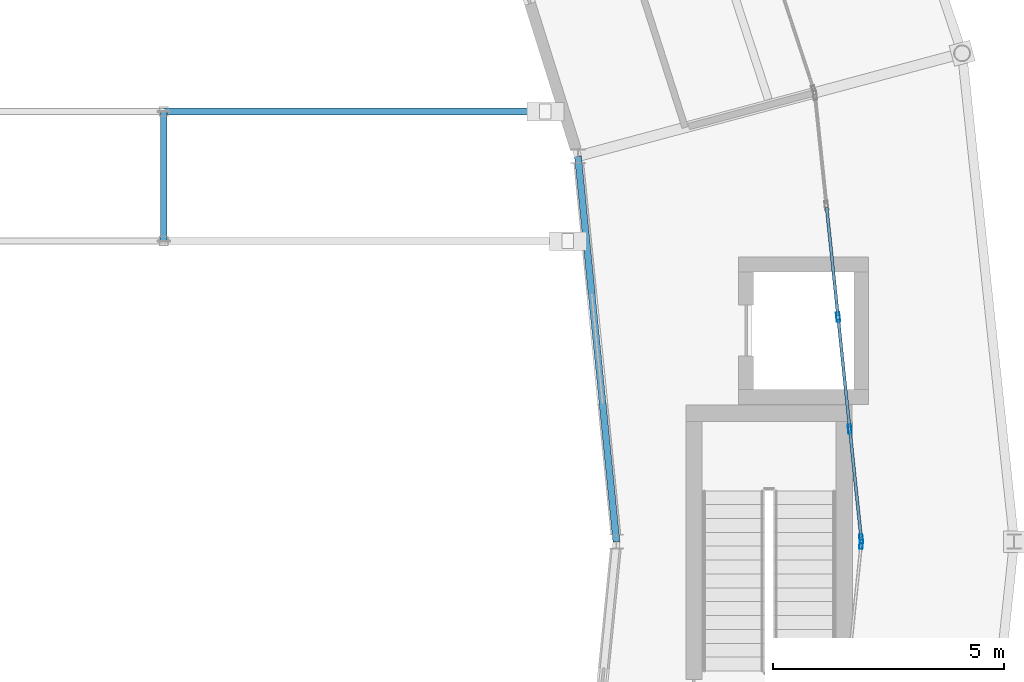
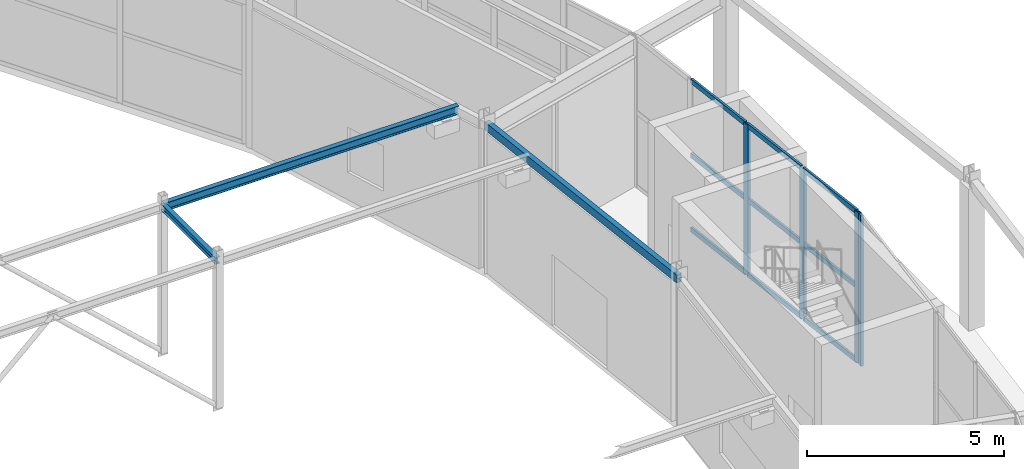
# One storey, part 67 of 144: 13 members, 3 beams, 2 elements without a shape of their own.
"""IFC4 building model written with IfcOpenShell, lengths in metres."""

from ifc_helpers import new_model, si_unit, direction, frame, origin, origin_2d, place, context, subcontext, project, spatial, hollow_rectangle, i_section, extrude, material, material_profile, profile_set, type_object, element, aggregate, save


model = new_model("IFC4")

# Units and contexts
model_context = context("Model", 3, precision=1e-05, world=origin(), true_north=direction((0.0, 1.0)))
body_context = subcontext(model_context, "Body", "Model", "MODEL_VIEW")
ifc_project = project(units=[si_unit("LENGTHUNIT", "METRE"), si_unit("AREAUNIT", "SQUARE_METRE"), si_unit("VOLUMEUNIT", "CUBIC_METRE"), si_unit("PLANEANGLEUNIT", "RADIAN"), si_unit("MASSUNIT", "GRAM", prefix="KILO")], contexts=[model_context])

# Site, building, storey
site_placement = place(None, origin())
site = spatial("IfcSite", under=ifc_project, at=site_placement, CompositionType="ELEMENT")
building_placement = place(site_placement, origin())
building = spatial("IfcBuilding", under=site, at=building_placement, Name="Karori Crest Natural Sciences Institute", CompositionType="ELEMENT")
storey_placement = place(building_placement, origin())
storey = spatial("IfcBuildingStorey", under=building, at=storey_placement, Name="L00", CompositionType="ELEMENT", Elevation=0.0)

# Beams
ifc_material_1 = material(Name="Structural steel AS/NZS 3679.1 Grade 350", Category="steel")
ifc_material_profile_1 = material_profile(ifc_material_1, i_section(OverallWidth=0.14599609375, OverallDepth=0.256103515625, WebThickness=0.00634765625, FlangeThickness=0.010986328125, FilletRadius=0.009033203125, at=origin_2d()), Name="250UB37.3")
ifc_profile_set_1 = profile_set([ifc_material_profile_1], Name="Structural steel AS/NZS 3679.1 Grade 350")
beam_type_1 = type_object("IfcBeamType", Name="BT-11", PredefinedType="BEAM", material=ifc_profile_set_1)
beam_1_placement = place(storey_placement, frame((81.010009765625, 59.199951171875, 4.511962890625), z_axis=(1.0, 0.0, 0.0), x_axis=(0.0, 1.0, 0.0)))
element("IfcBeam", 1, at=beam_1_placement, inside=storey, type_object=beam_type_1, Name="Beam B-2916", PredefinedType="BEAM", context=body_context, shape_type="SweptSolid", body=[
    extrude(i_section(OverallWidth=0.14599609375, OverallDepth=0.256103515625, WebThickness=0.00634765625, FlangeThickness=0.010986328125, FilletRadius=0.009033203125, at=origin_2d()), origin(), (0.0, 0.0, 1.0), 8.6552734375),
])
ifc_material_profile_2 = material_profile(ifc_material_1, i_section(OverallWidth=0.134033203125, OverallDepth=0.20703125, WebThickness=0.00634765625, FlangeThickness=0.009521484375, FilletRadius=0.009033203125, at=origin_2d()), Name="200UB29.8")
ifc_profile_set_2 = profile_set([ifc_material_profile_2], Name="Structural steel AS/NZS 3679.1 Grade 350")
beam_type_2 = type_object("IfcBeamType", Name="BT-13", PredefinedType="BEAM", material=ifc_profile_set_2)
beam_2_placement = place(storey_placement, frame((81.010009765625, 56.39990234375, 4.52001953125), z_axis=(0.0, 1.0, 0.0), x_axis=(-1.0, 0.0, 0.0)))
element("IfcBeam", 2, at=beam_2_placement, inside=storey, type_object=beam_type_2, Name="Beam B-0751", PredefinedType="BEAM", context=body_context, shape_type="SweptSolid", body=[
    extrude(i_section(OverallWidth=0.134033203125, OverallDepth=0.20703125, WebThickness=0.00634765625, FlangeThickness=0.009521484375, FilletRadius=0.009033203125, at=origin_2d()), origin(), (0.0, 0.0, 1.0), 2.800048828125),
])
ifc_material_2 = material(Name="Hollow structural steel AS/NZS 1163 Grade C350", Category="steel")
ifc_material_profile_3 = material_profile(ifc_material_2, hollow_rectangle(XDim=0.14990234375, YDim=0.25, WallThickness=0.009033203125, at=origin_2d()), Name="RHS250x150x9")
ifc_profile_set_3 = profile_set([ifc_material_profile_3], Name="Hollow structural steel AS/NZS 1163 Grade C350")
beam_type_3 = type_object("IfcBeamType", Name="BT-16", PredefinedType="SPANDREL", material=ifc_profile_set_3)
beam_3_placement = place(storey_placement, frame((90.800048828125, 49.89990234375, 4.489990234375), z_axis=(-0.099284371237, 0.99505910057, 0.0), x_axis=(-0.99505910057, -0.099284371237, 0.0)))
element("IfcBeam", 3, at=beam_3_placement, inside=storey, type_object=beam_type_3, Name="Beam B-0092", PredefinedType="SPANDREL", context=body_context, shape_type="SweptSolid", body=[
    extrude(hollow_rectangle(XDim=0.14990234375, YDim=0.25, WallThickness=0.009033203125, at=origin_2d()), origin(), (0.0, 0.0, 1.0), 8.37548828125),
])

# Curtain wall, members
ifc_material_3 = material(Name="Anodised architectural aluminium 6063-T6", Category="aluminium")
curtain_wall_type_1 = type_object("IfcCurtainWallType", Name="CWT-01", PredefinedType="NOTDEFINED", material=ifc_material_3)
curtain_wall_1_placement = place(storey_placement, origin())
curtain_wall_1 = element("IfcCurtainWall", 4, at=curtain_wall_1_placement, inside=storey, type_object=curtain_wall_type_1, Name="Curtain wall CW-0001", PredefinedType="NOTDEFINED")
ifc_material_profile_4 = material_profile(ifc_material_3, hollow_rectangle(XDim=0.074951171875, YDim=0.199951171875, WallThickness=0.0048828125, at=origin_2d()), Name="CWM200x75x5")
ifc_profile_set_4 = profile_set([ifc_material_profile_4], Name="Anodised architectural aluminium 6063-T6")
member_type_1 = type_object("IfcMemberType", Name="CWM-02", PredefinedType="MULLION", material=ifc_profile_set_4)
member_1_placement = place(storey_placement, frame((95.593994140625, 54.7529296875, 0.0), z_axis=(0.0, 0.0, 1.0), x_axis=(0.994608485589, 0.103701303727, 0.0)))
member_1 = element("IfcMember", 5, at=member_1_placement, type_object=member_type_1, Name="CW-0001 mullion 3", PredefinedType="MULLION", context=body_context, shape_type="SweptSolid", body=[
    extrude(hollow_rectangle(XDim=0.074951171875, YDim=0.199951171875, WallThickness=0.0048828125, at=origin_2d()), origin(), (0.0, 0.0, 1.0), 4.679931640625),
])
member_2_placement = place(storey_placement, frame((95.845947265625, 52.33642578125, 0.0), z_axis=(0.0, 0.0, 1.0), x_axis=(0.994608485589, 0.103701303727, 0.0)))
member_2 = element("IfcMember", 6, at=member_2_placement, type_object=member_type_1, Name="CW-0001 mullion 4", PredefinedType="MULLION", context=body_context, shape_type="SweptSolid", body=[
    extrude(hollow_rectangle(XDim=0.074951171875, YDim=0.199951171875, WallThickness=0.0048828125, at=origin_2d()), origin(), (0.0, 0.0, 1.0), 4.679931640625),
])
member_3_placement = place(storey_placement, frame((96.093994140625, 49.957275390625, 0.0), z_axis=(0.0, 0.0, 1.0), x_axis=(0.994608485589, 0.103701303727, 0.0)))
member_3 = element("IfcMember", 7, at=member_3_placement, type_object=member_type_1, Name="CW-0001 mullion 5", PredefinedType="MULLION", context=body_context, shape_type="SweptSolid", body=[
    extrude(hollow_rectangle(XDim=0.074951171875, YDim=0.199951171875, WallThickness=0.0048828125, at=origin_2d()), origin(), (0.0, 0.0, 1.0), 4.679931640625),
])

# Curtain wall, member
curtain_wall_type_2 = type_object("IfcCurtainWallType", Name="CWT-04", PredefinedType="NOTDEFINED", material=ifc_material_3)
curtain_wall_2_placement = place(storey_placement, origin())
curtain_wall_2 = element("IfcCurtainWall", 8, at=curtain_wall_2_placement, inside=storey, type_object=curtain_wall_type_2, Name="Curtain wall CW-0030", PredefinedType="NOTDEFINED")
member_4_placement = place(storey_placement, frame((96.093994140625, 49.8427734375, 0.0), z_axis=(0.0, 0.0, 1.0), x_axis=(0.994608485589, -0.103701303727, 0.0)))
member_4 = element("IfcMember", 9, at=member_4_placement, type_object=member_type_1, Name="CW-0030 mullion 1", PredefinedType="MULLION", context=body_context, shape_type="SweptSolid", body=[
    extrude(hollow_rectangle(XDim=0.074951171875, YDim=0.199951171875, WallThickness=0.0048828125, at=origin_2d()), origin(), (0.0, 0.0, 1.0), 4.679931640625),
])
aggregate(curtain_wall_2, [member_4])

# Member
ifc_material_profile_5 = material_profile(ifc_material_3, hollow_rectangle(XDim=0.06494140625, YDim=0.14990234375, WallThickness=0.00390625, at=origin_2d()), Name="CWT150x65x4")
ifc_profile_set_5 = profile_set([ifc_material_profile_5], Name="Anodised architectural aluminium 6063-T6")
member_type_2 = type_object("IfcMemberType", Name="CWT-TR2", PredefinedType="USERDEFINED", material=ifc_profile_set_5)
member_5_placement = place(storey_placement, frame((95.345947265625, 57.132080078125, 0.032470703125), z_axis=(0.103680873089, -0.994610615545, 0.0), x_axis=(0.994610615545, 0.103680873089, 0.0)))
member_5 = element("IfcMember", 10, at=member_5_placement, type_object=member_type_2, Name="CW-0001 transom 2.1", ObjectType="TRANSOM", PredefinedType="USERDEFINED", context=body_context, shape_type="SweptSolid", body=[
    extrude(hollow_rectangle(XDim=0.06494140625, YDim=0.14990234375, WallThickness=0.00390625, at=origin_2d()), origin(), (0.0, 0.0, 1.0), 2.354736328125),
])

member_6_placement = place(storey_placement, frame((95.345947265625, 57.132080078125, 2.340087890625), z_axis=(0.103680873089, -0.994610615545, 0.0), x_axis=(0.994610615545, 0.103680873089, 0.0)))
member_6 = element("IfcMember", 11, at=member_6_placement, type_object=member_type_2, Name="CW-0001 transom 2.2", ObjectType="TRANSOM", PredefinedType="USERDEFINED", context=body_context, shape_type="SweptSolid", body=[
    extrude(hollow_rectangle(XDim=0.06494140625, YDim=0.14990234375, WallThickness=0.00390625, at=origin_2d()), origin(), (0.0, 0.0, 1.0), 2.354736328125),
])

member_7_placement = place(storey_placement, frame((95.345947265625, 57.132080078125, 4.6474609375), z_axis=(0.103680873089, -0.994610615545, 0.0), x_axis=(0.994610615545, 0.103680873089, 0.0)))
member_7 = element("IfcMember", 12, at=member_7_placement, type_object=member_type_2, Name="CW-0001 transom 2.3", ObjectType="TRANSOM", PredefinedType="USERDEFINED", context=body_context, shape_type="SweptSolid", body=[
    extrude(hollow_rectangle(XDim=0.06494140625, YDim=0.14990234375, WallThickness=0.00390625, at=origin_2d()), origin(), (0.0, 0.0, 1.0), 2.354736328125),
])

member_8_placement = place(storey_placement, frame((95.597900390625, 54.715576171875, 0.032470703125), z_axis=(0.103691565975, -0.994609500832, 0.0), x_axis=(0.994609500832, 0.103691565975, 0.0)))
member_8 = element("IfcMember", 13, at=member_8_placement, type_object=member_type_2, Name="CW-0001 transom 3.1", ObjectType="TRANSOM", PredefinedType="USERDEFINED", context=body_context, shape_type="SweptSolid", body=[
    extrude(hollow_rectangle(XDim=0.06494140625, YDim=0.14990234375, WallThickness=0.00390625, at=origin_2d()), origin(), (0.0, 0.0, 1.0), 2.3544921875),
])

member_9_placement = place(storey_placement, frame((95.597900390625, 54.715576171875, 2.340087890625), z_axis=(0.103691565975, -0.994609500832, 0.0), x_axis=(0.994609500832, 0.103691565975, 0.0)))
member_9 = element("IfcMember", 14, at=member_9_placement, type_object=member_type_2, Name="CW-0001 transom 3.2", ObjectType="TRANSOM", PredefinedType="USERDEFINED", context=body_context, shape_type="SweptSolid", body=[
    extrude(hollow_rectangle(XDim=0.06494140625, YDim=0.14990234375, WallThickness=0.00390625, at=origin_2d()), origin(), (0.0, 0.0, 1.0), 2.3544921875),
])

member_10_placement = place(storey_placement, frame((95.597900390625, 54.715576171875, 4.6474609375), z_axis=(0.103691565975, -0.994609500832, 0.0), x_axis=(0.994609500832, 0.103691565975, 0.0)))
member_10 = element("IfcMember", 15, at=member_10_placement, type_object=member_type_2, Name="CW-0001 transom 3.3", ObjectType="TRANSOM", PredefinedType="USERDEFINED", context=body_context, shape_type="SweptSolid", body=[
    extrude(hollow_rectangle(XDim=0.06494140625, YDim=0.14990234375, WallThickness=0.00390625, at=origin_2d()), origin(), (0.0, 0.0, 1.0), 2.3544921875),
])

member_11_placement = place(storey_placement, frame((95.849853515625, 52.299072265625, 0.032470703125), z_axis=(0.103675570927, -0.994611168243, 0.0), x_axis=(0.994611168243, 0.103675570927, 0.0)))
member_11 = element("IfcMember", 16, at=member_11_placement, type_object=member_type_2, Name="CW-0001 transom 4.1", ObjectType="TRANSOM", PredefinedType="USERDEFINED", context=body_context, shape_type="SweptSolid", body=[
    extrude(hollow_rectangle(XDim=0.06494140625, YDim=0.14990234375, WallThickness=0.00390625, at=origin_2d()), origin(), (0.0, 0.0, 1.0), 2.317138671875),
])

member_12_placement = place(storey_placement, frame((95.849853515625, 52.299072265625, 2.340087890625), z_axis=(0.103675570927, -0.994611168243, 0.0), x_axis=(0.994611168243, 0.103675570927, 0.0)))
member_12 = element("IfcMember", 17, at=member_12_placement, type_object=member_type_2, Name="CW-0001 transom 4.2", ObjectType="TRANSOM", PredefinedType="USERDEFINED", context=body_context, shape_type="SweptSolid", body=[
    extrude(hollow_rectangle(XDim=0.06494140625, YDim=0.14990234375, WallThickness=0.00390625, at=origin_2d()), origin(), (0.0, 0.0, 1.0), 2.317138671875),
])

member_13_placement = place(storey_placement, frame((95.849853515625, 52.299072265625, 4.6474609375), z_axis=(0.103675570927, -0.994611168243, 0.0), x_axis=(0.994611168243, 0.103675570927, 0.0)))
member_13 = element("IfcMember", 18, at=member_13_placement, type_object=member_type_2, Name="CW-0001 transom 4.3", ObjectType="TRANSOM", PredefinedType="USERDEFINED", context=body_context, shape_type="SweptSolid", body=[
    extrude(hollow_rectangle(XDim=0.06494140625, YDim=0.14990234375, WallThickness=0.00390625, at=origin_2d()), origin(), (0.0, 0.0, 1.0), 2.317138671875),
])

aggregate(curtain_wall_1, [member_1, member_2, member_3, member_5, member_6, member_7, member_8, member_9, member_10, member_11, member_12, member_13])

save(model, "model.ifc")
